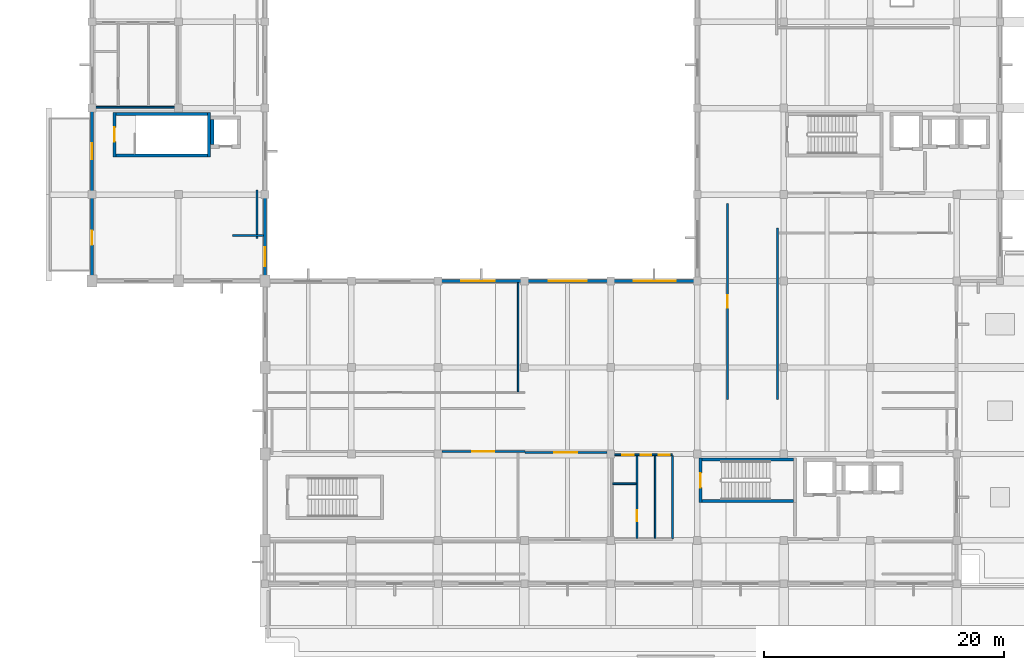
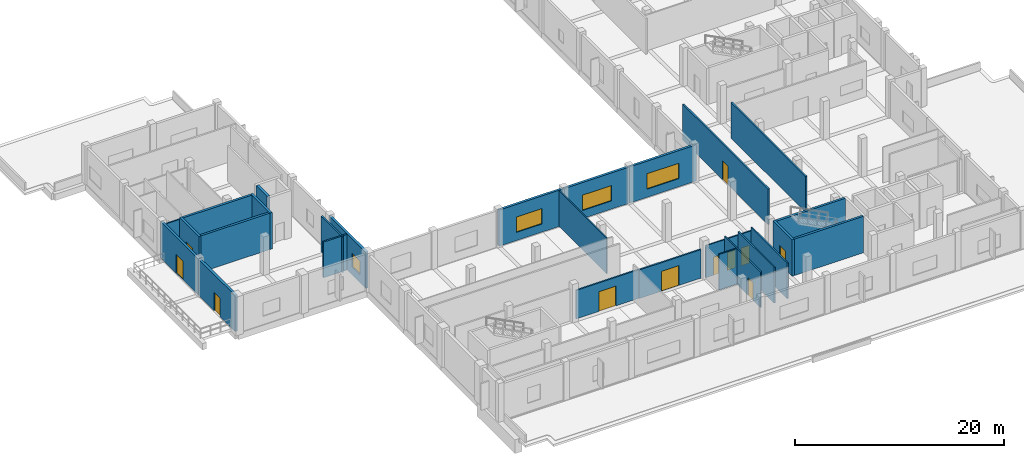
# One storey, part 5 of 16: 27 walls, 11 doors, 4 windows, 15 openings.
"""IFC4 building model written with IfcOpenShell, lengths in metres."""

from ifc_helpers import new_model, si_unit, direction, frame, frame_2d, origin, place, context, subcontext, project, spatial, rectangle, extrude, material, layer, layer_set, type_object, element, fill, save


model = new_model("IFC4")

# Units and contexts
model_context = context("Model", 3, precision=1e-05, world=origin(), true_north=direction((0.0, 1.0)))
body_context = subcontext(model_context, "Body", "Model", "MODEL_VIEW")
ifc_project = project(units=[si_unit("LENGTHUNIT", "METRE"), si_unit("AREAUNIT", "SQUARE_METRE"), si_unit("VOLUMEUNIT", "CUBIC_METRE"), si_unit("PLANEANGLEUNIT", "RADIAN"), si_unit("MASSUNIT", "GRAM", prefix="KILO")], contexts=[model_context])

# Site, building, storey
site_placement = place(None, origin())
site = spatial("IfcSite", under=ifc_project, at=site_placement, CompositionType="ELEMENT")
building_placement = place(site_placement, origin())
building = spatial("IfcBuilding", under=site, at=building_placement, Name="Seraya Terrace Polytechnic", CompositionType="ELEMENT")
storey_placement = place(building_placement, frame((0.0, 0.0, 23.39990234375)))
storey = spatial("IfcBuildingStorey", under=building, at=storey_placement, Name="L05", CompositionType="ELEMENT", Elevation=23.39990234375)

# Wall, opening, window
ifc_material_1 = material(Name="Precast concrete C40/50", Category="concrete")
ifc_layer_1 = layer(ifc_material_1, 0.260009765625, Name="EW-03")
ifc_layer_set_1 = layer_set([ifc_layer_1], Name="Precast concrete C40/50")
wall_type_1 = type_object("IfcWallType", Name="EW-03", PredefinedType="SOLIDWALL", material=ifc_layer_set_1)
wall_1_placement = place(storey_placement, frame((57.60009765625, 28.800048828125, 0.0), z_axis=(0.0, 0.0, 1.0), x_axis=(1.0, 0.0, 0.0)))
wall_1 = element("IfcWall", 1, at=wall_1_placement, inside=storey, type_object=wall_type_1, Name="Exterior structural wall EW-03 L05", PredefinedType="SOLIDWALL", context=body_context, shape_type="SweptSolid", body=[
    extrude(rectangle(XDim=7.199951171875, YDim=0.260009765625, at=frame_2d((3.60009765625, 0.0))), origin(), (0.0, 0.0, 1.0), 4.22021484375),
])
opening_1_placement = place(wall_1_placement, frame((1.94677734375, 0.0, 0.949951171875)))
opening_1 = element("IfcOpeningElement", 2, at=opening_1_placement, cuts=wall_1, Name="Opening WN-33", PredefinedType="OPENING", context=body_context, shape_type="SweptSolid", body=[
    extrude(rectangle(XDim=2.800048828125, YDim=1.800048828125, at=frame_2d((1.39990234375, 0.89990234375))), frame((0.0, 0.14208984375, 0.0), z_axis=(0.0, -1.0, 0.0), x_axis=(1.0, 0.0, 0.0)), (0.0, 0.0, 1.0), 0.283935546875),
])
ifc_material_2 = material(Name="Laminated solar-control Low-E double glazing", Category="glass")
window_type_1 = type_object("IfcWindowType", Name="WN-33", PartitioningType="SINGLE_PANEL", PredefinedType="WINDOW", material=ifc_material_2)
window_1_placement = place(opening_1_placement, origin())
window_1 = element("IfcWindow", 3, at=window_1_placement, inside=storey, type_object=window_type_1, Name="Exterior window WN-33 L05", OverallHeight=1.800048828125, OverallWidth=2.800048828125, PartitioningType="SINGLE_PANEL", PredefinedType="WINDOW", context=body_context, shape_type="SweptSolid", body=[
    extrude(rectangle(XDim=2.800048828125, YDim=1.800048828125, at=frame_2d((1.39990234375, 0.89990234375))), frame((0.0, 0.030029296875, 0.0), z_axis=(0.0, -1.0, 0.0), x_axis=(1.0, 0.0, 0.0)), (0.0, 0.0, 1.0), 0.06005859375),
])
fill(opening_1, window_1)

wall_2_placement = place(storey_placement, frame((64.800048828125, 28.800048828125, 0.0), z_axis=(0.0, 0.0, 1.0), x_axis=(1.0, 0.0, 0.0)))
wall_2 = element("IfcWall", 4, at=wall_2_placement, inside=storey, type_object=wall_type_1, Name="Exterior structural wall EW-03 L05", PredefinedType="SOLIDWALL", context=body_context, shape_type="SweptSolid", body=[
    extrude(rectangle(XDim=7.199951171875, YDim=0.260009765625, at=frame_2d((3.60009765625, 0.0))), origin(), (0.0, 0.0, 1.0), 4.22021484375),
])
opening_2_placement = place(wall_2_placement, frame((2.02490234375, 0.0, 0.949951171875)))
opening_2 = element("IfcOpeningElement", 5, at=opening_2_placement, cuts=wall_2, Name="Opening WN-34", PredefinedType="OPENING", context=body_context, shape_type="SweptSolid", body=[
    extrude(rectangle(XDim=3.14990234375, YDim=1.800048828125, at=frame_2d((1.574951171875, 0.89990234375))), frame((0.0, 0.14208984375, 0.0), z_axis=(0.0, -1.0, 0.0), x_axis=(1.0, 0.0, 0.0)), (0.0, 0.0, 1.0), 0.283935546875),
])
window_type_2 = type_object("IfcWindowType", Name="WN-34", PartitioningType="SINGLE_PANEL", PredefinedType="WINDOW", material=ifc_material_2)
window_2_placement = place(opening_2_placement, origin())
window_2 = element("IfcWindow", 6, at=window_2_placement, inside=storey, type_object=window_type_2, Name="Exterior window WN-34 L05", OverallHeight=1.800048828125, OverallWidth=3.14990234375, PartitioningType="SINGLE_PANEL", PredefinedType="WINDOW", context=body_context, shape_type="SweptSolid", body=[
    extrude(rectangle(XDim=3.14990234375, YDim=1.800048828125, at=frame_2d((1.574951171875, 0.89990234375))), frame((0.0, 0.030029296875, 0.0), z_axis=(0.0, -1.0, 0.0), x_axis=(1.0, 0.0, 0.0)), (0.0, 0.0, 1.0), 0.06005859375),
])
fill(opening_2, window_2)

wall_3_placement = place(storey_placement, frame((72.0, 28.800048828125, 0.0), z_axis=(0.0, 0.0, 1.0), x_axis=(1.0, 0.0, 0.0)))
wall_3 = element("IfcWall", 7, at=wall_3_placement, inside=storey, type_object=wall_type_1, Name="Exterior structural wall EW-03 L05", PredefinedType="SOLIDWALL", context=body_context, shape_type="SweptSolid", body=[
    extrude(rectangle(XDim=7.35009765625, YDim=0.260009765625, at=frame_2d((3.675048828125, 0.0))), origin(), (0.0, 0.0, 1.0), 4.22021484375),
])
opening_3_placement = place(wall_3_placement, frame((1.925048828125, 0.0, 0.949951171875)))
opening_3 = element("IfcOpeningElement", 8, at=opening_3_placement, cuts=wall_3, Name="Opening WN-35", PredefinedType="OPENING", context=body_context, shape_type="SweptSolid", body=[
    extrude(rectangle(XDim=3.5, YDim=1.800048828125, at=frame_2d((1.75, 0.89990234375))), frame((0.0, 0.14208984375, 0.0), z_axis=(0.0, -1.0, 0.0), x_axis=(1.0, 0.0, 0.0)), (0.0, 0.0, 1.0), 0.283935546875),
])
window_type_3 = type_object("IfcWindowType", Name="WN-35", PartitioningType="SINGLE_PANEL", PredefinedType="WINDOW", material=ifc_material_2)
window_3_placement = place(opening_3_placement, origin())
window_3 = element("IfcWindow", 9, at=window_3_placement, inside=storey, type_object=window_type_3, Name="Exterior window WN-35 L05", OverallHeight=1.800048828125, OverallWidth=3.5, PartitioningType="SINGLE_PANEL", PredefinedType="WINDOW", context=body_context, shape_type="SweptSolid", body=[
    extrude(rectangle(XDim=3.5, YDim=1.800048828125, at=frame_2d((1.75, 0.89990234375))), frame((0.0, 0.030029296875, 0.0), z_axis=(0.0, -1.0, 0.0), x_axis=(1.0, 0.0, 0.0)), (0.0, 0.0, 1.0), 0.06005859375),
])
fill(opening_3, window_3)

wall_4_placement = place(storey_placement, frame((43.199951171875, 36.0, 0.0), z_axis=(0.0, 0.0, 1.0), x_axis=(0.0, -1.0, 0.0)))
wall_4 = element("IfcWall", 10, at=wall_4_placement, inside=storey, type_object=wall_type_1, Name="Exterior structural wall EW-03 L05", PredefinedType="SOLIDWALL", context=body_context, shape_type="SweptSolid", body=[
    extrude(rectangle(XDim=7.033935546875, YDim=0.260009765625, at=frame_2d((3.51708984375, 0.0))), origin(), (0.0, 0.0, 1.0), 4.22021484375),
])
opening_4_placement = place(wall_4_placement, frame((4.402099609375, 0.0, 0.949951171875)))
opening_4 = element("IfcOpeningElement", 11, at=opening_4_placement, cuts=wall_4, Name="Opening WN-16", PredefinedType="OPENING", context=body_context, shape_type="SweptSolid", body=[
    extrude(rectangle(XDim=1.550048828125, YDim=1.550048828125, at=frame_2d((0.77490234375, 0.77490234375))), frame((0.0, 0.14208984375, 0.0), z_axis=(0.0, -1.0, 0.0), x_axis=(1.0, 0.0, 0.0)), (0.0, 0.0, 1.0), 0.283935546875),
])
window_type_4 = type_object("IfcWindowType", Name="WN-16", PartitioningType="SINGLE_PANEL", PredefinedType="WINDOW", material=ifc_material_2)
window_4_placement = place(opening_4_placement, origin())
window_4 = element("IfcWindow", 12, at=window_4_placement, inside=storey, type_object=window_type_4, Name="Exterior window WN-16 L05", OverallHeight=1.550048828125, OverallWidth=1.550048828125, PartitioningType="SINGLE_PANEL", PredefinedType="WINDOW", context=body_context, shape_type="SweptSolid", body=[
    extrude(rectangle(XDim=1.550048828125, YDim=1.550048828125, at=frame_2d((0.77490234375, 0.77490234375))), frame((0.0, 0.030029296875, 0.0), z_axis=(0.0, -1.0, 0.0), x_axis=(1.0, 0.0, 0.0)), (0.0, 0.0, 1.0), 0.06005859375),
])
fill(opening_4, window_4)

# Wall, opening, door
wall_5_placement = place(storey_placement, frame((28.800048828125, 28.966064453125, 0.0), z_axis=(0.0, 0.0, 1.0), x_axis=(0.0, 1.0, 0.0)))
wall_5 = element("IfcWall", 13, at=wall_5_placement, inside=storey, type_object=wall_type_1, Name="Exterior structural wall EW-03 L05", PredefinedType="SOLIDWALL", context=body_context, shape_type="SweptSolid", body=[
    extrude(rectangle(XDim=7.033935546875, YDim=0.260009765625, at=frame_2d((3.51708984375, 0.0))), origin(), (0.0, 0.0, 1.0), 4.22021484375),
])
opening_5_placement = place(wall_5_placement, frame((2.843994140625, 0.0, 0.0)))
opening_5 = element("IfcOpeningElement", 14, at=opening_5_placement, cuts=wall_5, Name="Opening TD-02", PredefinedType="OPENING", context=body_context, shape_type="SweptSolid", body=[
    extrude(rectangle(XDim=1.179931640625, YDim=2.179931640625, at=frame_2d((0.58984375, 1.08984375))), frame((0.0, 0.14208984375, 0.0), z_axis=(0.0, -1.0, 0.0), x_axis=(1.0, 0.0, 0.0)), (0.0, 0.0, 1.0), 0.283935546875),
])
ifc_material_3 = material(Name="Anodised aluminium EN AW-6063 T6", Category="aluminium")
door_type_1 = type_object("IfcDoorType", Name="TD-02", OperationType="NOTDEFINED", PredefinedType="DOOR", material=ifc_material_3)
door_1_placement = place(opening_5_placement, origin())
door_1 = element("IfcDoor", 15, at=door_1_placement, inside=storey, type_object=door_type_1, Name="Door TD-02 DR-TERR-L05-11-00 in WL-EXT-L05-11-00", OperationType="SINGLE_SWING_LEFT", OverallHeight=2.179931640625, OverallWidth=1.179931640625, PredefinedType="DOOR", context=body_context, shape_type="SweptSolid", body=[
    extrude(rectangle(XDim=1.179931640625, YDim=2.179931640625, at=frame_2d((0.58984375, 1.08984375))), frame((0.0, 0.02490234375, 0.0), z_axis=(0.0, -1.0, 0.0), x_axis=(1.0, 0.0, 0.0)), (0.0, 0.0, 1.0), 0.050048828125),
])
fill(opening_5, door_1)

wall_6_placement = place(storey_placement, frame((28.800048828125, 36.0, 0.0), z_axis=(0.0, 0.0, 1.0), x_axis=(0.0, 1.0, 0.0)))
wall_6 = element("IfcWall", 16, at=wall_6_placement, inside=storey, type_object=wall_type_1, Name="Exterior structural wall EW-03 L05", PredefinedType="SOLIDWALL", context=body_context, shape_type="SweptSolid", body=[
    extrude(rectangle(XDim=7.199951171875, YDim=0.260009765625, at=frame_2d((3.60009765625, 0.0))), origin(), (0.0, 0.0, 1.0), 4.22021484375),
])
opening_6_placement = place(wall_6_placement, frame((2.93994140625, 0.0, 0.0)))
opening_6 = element("IfcOpeningElement", 17, at=opening_6_placement, cuts=wall_6, Name="Opening TD-03", PredefinedType="OPENING", context=body_context, shape_type="SweptSolid", body=[
    extrude(rectangle(XDim=1.320068359375, YDim=2.199951171875, at=frame_2d((0.66015625, 1.10009765625))), frame((0.0, 0.14208984375, 0.0), z_axis=(0.0, -1.0, 0.0), x_axis=(1.0, 0.0, 0.0)), (0.0, 0.0, 1.0), 0.283935546875),
])
door_type_2 = type_object("IfcDoorType", Name="TD-03", OperationType="NOTDEFINED", PredefinedType="DOOR", material=ifc_material_3)
door_2_placement = place(opening_6_placement, origin())
door_2 = element("IfcDoor", 18, at=door_2_placement, inside=storey, type_object=door_type_2, Name="Door TD-03 DR-TERR-L05-11-01 in WL-EXT-L05-11-01", OperationType="SINGLE_SWING_RIGHT", OverallHeight=2.199951171875, OverallWidth=1.320068359375, PredefinedType="DOOR", context=body_context, shape_type="SweptSolid", body=[
    extrude(rectangle(XDim=1.320068359375, YDim=2.199951171875, at=frame_2d((0.66015625, 1.10009765625))), frame((0.0, 0.02490234375, 0.0), z_axis=(0.0, -1.0, 0.0), x_axis=(1.0, 0.0, 0.0)), (0.0, 0.0, 1.0), 0.050048828125),
])
fill(opening_6, door_2)

ifc_material_4 = material(Name="Autoclaved aerated concrete blockwork", Category="masonry")
ifc_layer_2 = layer(ifc_material_4, 0.169921875, Name="PT-02")
ifc_layer_set_2 = layer_set([ifc_layer_2], Name="Autoclaved aerated concrete blockwork")
wall_type_2 = type_object("IfcWallType", Name="PT-02", PredefinedType="PARTITIONING", material=ifc_layer_set_2)
wall_7_placement = place(storey_placement, frame((57.93505859375, 14.60009765625, 0.0), z_axis=(0.0, 0.0, 1.0), x_axis=(1.0, 0.0, 0.0)))
wall_7 = element("IfcWall", 19, at=wall_7_placement, inside=storey, type_object=wall_type_2, Name="Internal partition PT-02 L05", PredefinedType="PARTITIONING", context=body_context, shape_type="SweptSolid", body=[
    extrude(rectangle(XDim=6.90966796875, YDim=0.169921875, at=frame_2d((3.454833984375, 0.0))), origin(), (0.0, 0.0, 1.0), 3.330078125),
])
opening_7_placement = place(wall_7_placement, frame((2.534912109375, 0.0, 0.0)))
opening_7 = element("IfcOpeningElement", 20, at=opening_7_placement, cuts=wall_7, Name="Opening ID-15", PredefinedType="OPENING", context=body_context, shape_type="SweptSolid", body=[
    extrude(rectangle(XDim=1.840087890625, YDim=2.300048828125, at=frame_2d((0.919921875, 1.14990234375))), frame((0.0, 0.096923828125, 0.0), z_axis=(0.0, -1.0, 0.0), x_axis=(1.0, 0.0, 0.0)), (0.0, 0.0, 1.0), 0.19384765625),
])
ifc_material_5 = material(Name="Malaysian dark red meranti hardwood timber D40", Category="wood")
door_type_3 = type_object("IfcDoorType", Name="ID-15", OperationType="DOUBLE_DOOR_SINGLE_SWING", PredefinedType="DOOR", material=ifc_material_5)
door_3_placement = place(opening_7_placement, origin())
door_3 = element("IfcDoor", 21, at=door_3_placement, inside=storey, type_object=door_type_3, Name="Door ID-15 DR-INT-L05-0252 in WL-INT-L05-0709", OperationType="DOUBLE_DOOR_SINGLE_SWING", OverallHeight=2.300048828125, OverallWidth=1.840087890625, PredefinedType="DOOR", context=body_context, shape_type="SweptSolid", body=[
    extrude(rectangle(XDim=1.840087890625, YDim=2.300048828125, at=frame_2d((0.919921875, 1.14990234375))), frame((0.0, 0.02490234375, 0.0), z_axis=(0.0, -1.0, 0.0), x_axis=(1.0, 0.0, 0.0)), (0.0, 0.0, 1.0), 0.050048828125),
])
fill(opening_7, door_3)

wall_8_placement = place(storey_placement, frame((64.8447265625, 14.530029296875, 0.0), z_axis=(0.0, 0.0, 1.0), x_axis=(1.0, 0.0, 0.0)))
wall_8 = element("IfcWall", 22, at=wall_8_placement, inside=storey, type_object=wall_type_2, Name="Internal partition PT-02 L05", PredefinedType="PARTITIONING", context=body_context, shape_type="SweptSolid", body=[
    extrude(rectangle(XDim=6.8203125, YDim=0.169921875, at=frame_2d((3.41015625, 0.0))), origin(), (0.0, 0.0, 1.0), 3.330078125),
])
opening_8_placement = place(wall_8_placement, frame((2.4501953125, 0.0, 0.0)))
opening_8 = element("IfcOpeningElement", 23, at=opening_8_placement, cuts=wall_8, Name="Opening ID-16", PredefinedType="OPENING", context=body_context, shape_type="SweptSolid", body=[
    extrude(rectangle(XDim=1.919921875, YDim=2.320068359375, at=frame_2d((0.9599609375, 1.16015625))), frame((0.0, 0.096923828125, 0.0), z_axis=(0.0, -1.0, 0.0), x_axis=(1.0, 0.0, 0.0)), (0.0, 0.0, 1.0), 0.19384765625),
])
door_type_4 = type_object("IfcDoorType", Name="ID-16", OperationType="DOUBLE_DOOR_SINGLE_SWING", PredefinedType="DOOR", material=ifc_material_5)
door_4_placement = place(opening_8_placement, frame((1.919921875, 0.0, 0.0), z_axis=(0.0, 0.0, 1.0), x_axis=(-1.0, 0.0, 0.0)))
door_4 = element("IfcDoor", 24, at=door_4_placement, inside=storey, type_object=door_type_4, Name="Door ID-16 DR-INT-L05-0253 in WL-INT-L05-0713", OperationType="DOUBLE_DOOR_SINGLE_SWING", OverallHeight=2.320068359375, OverallWidth=1.919921875, PredefinedType="DOOR", context=body_context, shape_type="SweptSolid", body=[
    extrude(rectangle(XDim=1.919921875, YDim=2.320068359375, at=frame_2d((0.9599609375, 1.16015625))), frame((0.0, 0.02490234375, 0.0), z_axis=(0.0, -1.0, 0.0), x_axis=(1.0, 0.0, 0.0)), (0.0, 0.0, 1.0), 0.050048828125),
])
fill(opening_8, door_4)

wall_9_placement = place(storey_placement, frame((81.72998046875, 18.949951171875, 0.0), z_axis=(0.0, 0.0, 1.0), x_axis=(0.0, 1.0, 0.0)))
wall_9 = element("IfcWall", 25, at=wall_9_placement, inside=storey, type_object=wall_type_2, Name="Internal partition PT-02 L05", PredefinedType="PARTITIONING", context=body_context, shape_type="SweptSolid", body=[
    extrude(rectangle(XDim=16.31005859375, YDim=0.169921875, at=frame_2d((8.155029296875, 0.0))), origin(), (0.0, 0.0, 1.0), 4.16015625),
])
opening_9_placement = place(wall_9_placement, frame((7.635009765625, 0.0, 0.0)))
opening_9 = element("IfcOpeningElement", 26, at=opening_9_placement, cuts=wall_9, Name="Opening ID-04", PredefinedType="OPENING", context=body_context, shape_type="SweptSolid", body=[
    extrude(rectangle(XDim=1.0400390625, YDim=2.179931640625, at=frame_2d((0.52001953125, 1.08984375))), frame((0.0, 0.096923828125, 0.0), z_axis=(0.0, -1.0, 0.0), x_axis=(1.0, 0.0, 0.0)), (0.0, 0.0, 1.0), 0.19384765625),
])
door_type_5 = type_object("IfcDoorType", Name="ID-04", OperationType="NOTDEFINED", PredefinedType="DOOR", material=ifc_material_5)
door_5_placement = place(opening_9_placement, frame((1.0400390625, 0.0, 0.0), z_axis=(0.0, 0.0, 1.0), x_axis=(-1.0, 0.0, 0.0)))
door_5 = element("IfcDoor", 27, at=door_5_placement, inside=storey, type_object=door_type_5, Name="Door ID-04 DR-INT-L05-0257 in WL-INT-L05-0725", OperationType="SINGLE_SWING_RIGHT", OverallHeight=2.179931640625, OverallWidth=1.0400390625, PredefinedType="DOOR", context=body_context, shape_type="SweptSolid", body=[
    extrude(rectangle(XDim=1.0400390625, YDim=2.179931640625, at=frame_2d((0.52001953125, 1.08984375))), frame((0.0, 0.02490234375, 0.0), z_axis=(0.0, -1.0, 0.0), x_axis=(1.0, 0.0, 0.0)), (0.0, 0.0, 1.0), 0.050048828125),
])
fill(opening_9, door_5)

# Walls
wall_10_placement = place(storey_placement, frame((85.8701171875, 18.949951171875, 0.0), z_axis=(0.0, 0.0, 1.0), x_axis=(0.0, 1.0, 0.0)))
element("IfcWall", 28, at=wall_10_placement, inside=storey, type_object=wall_type_2, Name="Internal partition PT-02 L05", PredefinedType="PARTITIONING", context=body_context, shape_type="SweptSolid", body=[
    extrude(rectangle(XDim=14.27001953125, YDim=0.169921875, at=frame_2d((7.135009765625, 0.0))), origin(), (0.0, 0.0, 1.0), 4.16015625),
])
wall_11_placement = place(storey_placement, frame((42.52001953125, 32.360107421875, 0.0), z_axis=(0.0, 0.0, 1.0), x_axis=(0.0, 1.0, 0.0)))
element("IfcWall", 29, at=wall_11_placement, inside=storey, type_object=wall_type_2, Name="Internal partition PT-02 L05", PredefinedType="PARTITIONING", context=body_context, shape_type="SweptSolid", body=[
    extrude(rectangle(XDim=4.04150390625, YDim=0.169921875, at=frame_2d((2.020751953125, 0.0))), origin(), (0.0, 0.0, 1.0), 4.16015625),
])
wall_12_placement = place(storey_placement, frame((40.47998046875, 32.60009765625, 0.0), z_axis=(0.0, 0.0, 1.0), x_axis=(1.0, 0.0, 0.0)))
element("IfcWall", 30, at=wall_12_placement, inside=storey, type_object=wall_type_2, Name="Internal partition PT-02 L05", PredefinedType="PARTITIONING", context=body_context, shape_type="SweptSolid", body=[
    extrude(rectangle(XDim=2.578125, YDim=0.169921875, at=frame_2d((1.2890625, 0.0))), origin(), (0.0, 0.0, 1.0), 4.16015625),
])

# Wall, openings, doors
ifc_layer_3 = layer(ifc_material_4, 0.139892578125, Name="PT-04")
ifc_layer_set_3 = layer_set([ifc_layer_3], Name="Autoclaved aerated concrete blockwork")
wall_type_3 = type_object("IfcWallType", Name="PT-04", PredefinedType="PARTITIONING", material=ifc_layer_set_3)
wall_13_placement = place(storey_placement, frame((72.070068359375, 14.330078125, 0.0), z_axis=(0.0, 0.0, 1.0), x_axis=(1.0, 0.0, 0.0)))
wall_13 = element("IfcWall", 31, at=wall_13_placement, inside=storey, type_object=wall_type_3, Name="Sanitary WC-A North wall L05", PredefinedType="PARTITIONING", context=body_context, shape_type="SweptSolid", body=[
    extrude(rectangle(XDim=5.059814453125, YDim=0.139892578125, at=frame_2d((2.52978515625, 0.0))), origin(), (0.0, 0.0, 1.0), 3.72998046875),
])
opening_10_placement = place(wall_13_placement, frame((0.8798828125, 0.0, 0.0)))
opening_10 = element("IfcOpeningElement", 32, at=opening_10_placement, cuts=wall_13, Name="Opening ID-01", PredefinedType="OPENING", context=body_context, shape_type="SweptSolid", body=[
    extrude(rectangle(XDim=0.93994140625, YDim=2.10009765625, at=frame_2d((0.469970703125, 1.050048828125))), frame((0.0, 0.08203125, 0.0), z_axis=(0.0, -1.0, 0.0), x_axis=(1.0, 0.0, 0.0)), (0.0, 0.0, 1.0), 0.163818359375),
])
opening_11_placement = place(wall_13_placement, frame((2.4150390625, 0.0, 0.0)))
opening_11 = element("IfcOpeningElement", 33, at=opening_11_placement, cuts=wall_13, Name="Opening ID-02", PredefinedType="OPENING", context=body_context, shape_type="SweptSolid", body=[
    extrude(rectangle(XDim=0.89990234375, YDim=2.080078125, at=frame_2d((0.449951171875, 1.0400390625))), frame((0.0, 0.08203125, 0.0), z_axis=(0.0, -1.0, 0.0), x_axis=(1.0, 0.0, 0.0)), (0.0, 0.0, 1.0), 0.163818359375),
])
opening_12_placement = place(wall_13_placement, frame((3.925048828125, 0.0, 0.0)))
opening_12 = element("IfcOpeningElement", 34, at=opening_12_placement, cuts=wall_13, Name="Opening ID-02", PredefinedType="OPENING", context=body_context, shape_type="SweptSolid", body=[
    extrude(rectangle(XDim=0.89990234375, YDim=2.080078125, at=frame_2d((0.449951171875, 1.0400390625))), frame((0.0, 0.08203125, 0.0), z_axis=(0.0, -1.0, 0.0), x_axis=(1.0, 0.0, 0.0)), (0.0, 0.0, 1.0), 0.163818359375),
])
door_type_6 = type_object("IfcDoorType", Name="ID-01", OperationType="NOTDEFINED", PredefinedType="DOOR", material=ifc_material_5)
door_6_placement = place(opening_10_placement, origin())
door_6 = element("IfcDoor", 35, at=door_6_placement, inside=storey, type_object=door_type_6, Name="Door ID-01 DR-WC-WC-A-L05-OKU in WL-WC-WC-A-L05-N", OperationType="SINGLE_SWING_LEFT", OverallHeight=2.10009765625, OverallWidth=0.93994140625, PredefinedType="DOOR", context=body_context, shape_type="SweptSolid", body=[
    extrude(rectangle(XDim=0.93994140625, YDim=2.10009765625, at=frame_2d((0.469970703125, 1.050048828125))), frame((0.0, 0.02490234375, 0.0), z_axis=(0.0, -1.0, 0.0), x_axis=(1.0, 0.0, 0.0)), (0.0, 0.0, 1.0), 0.050048828125),
])
fill(opening_10, door_6)
door_type_7 = type_object("IfcDoorType", Name="ID-02", OperationType="NOTDEFINED", PredefinedType="DOOR", material=ifc_material_5)
door_7_placement = place(opening_11_placement, frame((0.89990234375, 0.0, 0.0), z_axis=(0.0, 0.0, 1.0), x_axis=(-1.0, 0.0, 0.0)))
door_7 = element("IfcDoor", 36, at=door_7_placement, inside=storey, type_object=door_type_7, Name="Door ID-02 DR-WC-WC-A-L05-M in WL-WC-WC-A-L05-N", OperationType="SINGLE_SWING_RIGHT", OverallHeight=2.080078125, OverallWidth=0.89990234375, PredefinedType="DOOR", context=body_context, shape_type="SweptSolid", body=[
    extrude(rectangle(XDim=0.89990234375, YDim=2.080078125, at=frame_2d((0.449951171875, 1.0400390625))), frame((0.0, 0.02490234375, 0.0), z_axis=(0.0, -1.0, 0.0), x_axis=(1.0, 0.0, 0.0)), (0.0, 0.0, 1.0), 0.050048828125),
])
fill(opening_11, door_7)
door_8_placement = place(opening_12_placement, frame((0.89990234375, 0.0, 0.0), z_axis=(0.0, 0.0, 1.0), x_axis=(-1.0, 0.0, 0.0)))
door_8 = element("IfcDoor", 37, at=door_8_placement, inside=storey, type_object=door_type_7, Name="Door ID-02 DR-WC-WC-A-L05-F in WL-WC-WC-A-L05-N", OperationType="SINGLE_SWING_LEFT", OverallHeight=2.080078125, OverallWidth=0.89990234375, PredefinedType="DOOR", context=body_context, shape_type="SweptSolid", body=[
    extrude(rectangle(XDim=0.89990234375, YDim=2.080078125, at=frame_2d((0.449951171875, 1.0400390625))), frame((0.0, 0.02490234375, 0.0), z_axis=(0.0, -1.0, 0.0), x_axis=(1.0, 0.0, 0.0)), (0.0, 0.0, 1.0), 0.050048828125),
])
fill(opening_12, door_8)

# Wall
wall_14_placement = place(storey_placement, frame((77.1298828125, 7.35009765625, 0.0), z_axis=(0.0, 0.0, 1.0), x_axis=(0.0, 1.0, 0.0)))
element("IfcWall", 38, at=wall_14_placement, inside=storey, type_object=wall_type_3, Name="Sanitary WC-A East wall L05", PredefinedType="PARTITIONING", context=body_context, shape_type="SweptSolid", body=[
    extrude(rectangle(XDim=6.89990234375, YDim=0.139892578125, at=frame_2d((3.449951171875, 0.0))), origin(), (0.0, 0.0, 1.0), 4.16015625),
])

# Wall, opening, door
wall_15_placement = place(storey_placement, frame((74.179931640625, 7.35009765625, 0.0), z_axis=(0.0, 0.0, 1.0), x_axis=(0.0, 1.0, 0.0)))
wall_15 = element("IfcWall", 39, at=wall_15_placement, inside=storey, type_object=wall_type_3, Name="Sanitary WC-A OKU/Male divider L05", PredefinedType="PARTITIONING", context=body_context, shape_type="SweptSolid", body=[
    extrude(rectangle(XDim=6.89990234375, YDim=0.139892578125, at=frame_2d((3.449951171875, 0.0))), origin(), (0.0, 0.0, 1.0), 4.16015625),
])
opening_13_placement = place(wall_15_placement, frame((1.449951171875, 0.0, 0.0)))
opening_13 = element("IfcOpeningElement", 40, at=opening_13_placement, cuts=wall_15, Name="Opening ID-02", PredefinedType="OPENING", context=body_context, shape_type="SweptSolid", body=[
    extrude(rectangle(XDim=0.89990234375, YDim=2.080078125, at=frame_2d((0.449951171875, 1.0400390625))), frame((0.0, 0.08203125, 0.0), z_axis=(0.0, -1.0, 0.0), x_axis=(1.0, 0.0, 0.0)), (0.0, 0.0, 1.0), 0.163818359375),
])
door_9_placement = place(opening_13_placement, origin())
door_9 = element("IfcDoor", 41, at=door_9_placement, inside=storey, type_object=door_type_7, Name="Door ID-02 DR-WC-WC-A-L05-CLN in WL-WC-WC-A-L05-D1", OperationType="SINGLE_SWING_RIGHT", OverallHeight=2.080078125, OverallWidth=0.89990234375, PredefinedType="DOOR", context=body_context, shape_type="SweptSolid", body=[
    extrude(rectangle(XDim=0.89990234375, YDim=2.080078125, at=frame_2d((0.449951171875, 1.0400390625))), frame((0.0, 0.02490234375, 0.0), z_axis=(0.0, -1.0, 0.0), x_axis=(1.0, 0.0, 0.0)), (0.0, 0.0, 1.0), 0.050048828125),
])
fill(opening_13, door_9)

# Walls
wall_16_placement = place(storey_placement, frame((75.68994140625, 7.35009765625, 0.0), z_axis=(0.0, 0.0, 1.0), x_axis=(0.0, 1.0, 0.0)))
element("IfcWall", 42, at=wall_16_placement, inside=storey, type_object=wall_type_3, Name="Sanitary WC-A Male/Female divider L05", PredefinedType="PARTITIONING", context=body_context, shape_type="SweptSolid", body=[
    extrude(rectangle(XDim=6.89990234375, YDim=0.139892578125, at=frame_2d((3.449951171875, 0.0))), origin(), (0.0, 0.0, 1.0), 4.16015625),
])
wall_17_placement = place(storey_placement, frame((72.14990234375, 11.919921875, 0.0), z_axis=(0.0, 0.0, 1.0), x_axis=(1.0, 0.0, 0.0)))
element("IfcWall", 43, at=wall_17_placement, inside=storey, type_object=wall_type_3, Name="Sanitary WC-A OKU/Cleaner divider L05", PredefinedType="PARTITIONING", context=body_context, shape_type="SweptSolid", body=[
    extrude(rectangle(XDim=1.9501953125, YDim=0.139892578125, at=frame_2d((0.97509765625, 0.0))), origin(), (0.0, 0.0, 1.0), 4.16015625),
])
wall_18_placement = place(storey_placement, frame((29.0, 43.27001953125, 0.0), z_axis=(0.0, 0.0, 1.0), x_axis=(1.0, 0.0, 0.0)))
element("IfcWall", 44, at=wall_18_placement, inside=storey, type_object=wall_type_3, Name="Sanitary WC-B South wall L05", PredefinedType="PARTITIONING", context=body_context, shape_type="SweptSolid", body=[
    extrude(rectangle(XDim=6.929931640625, YDim=0.139892578125, at=frame_2d((3.46484375, 0.0))), origin(), (0.0, 0.0, 1.0), 3.72998046875),
])
ifc_layer_4 = layer(ifc_material_4, 0.1201171875, Name="PT-05")
ifc_layer_set_4 = layer_set([ifc_layer_4], Name="Autoclaved aerated concrete blockwork")
wall_type_4 = type_object("IfcWallType", Name="PT-05", PredefinedType="PARTITIONING", material=ifc_layer_set_4)
wall_19_placement = place(storey_placement, frame((64.273193359375, 19.574951171875, 0.0), z_axis=(0.0, 0.0, 1.0), x_axis=(0.0, 1.0, 0.0)))
element("IfcWall", 45, at=wall_19_placement, inside=storey, type_object=wall_type_4, Name="Internal partition PT-05 L05", PredefinedType="PARTITIONING", context=body_context, shape_type="SweptSolid", body=[
    extrude(rectangle(XDim=9.0830078125, YDim=0.1201171875, at=frame_2d((4.54150390625, 0.0))), origin(), (0.0, 0.0, 1.0), 4.16015625),
])
ifc_material_6 = material(Name="Concrete C40/50", Category="concrete")
ifc_layer_5 = layer(ifc_material_6, 0.300048828125, Name="SW-01")
ifc_layer_set_5 = layer_set([ifc_layer_5], Name="Concrete C40/50")
wall_type_5 = type_object("IfcWallType", Name="SW-01", PredefinedType="SHEAR", material=ifc_layer_set_5)
wall_20_placement = place(storey_placement, frame((38.820068359375, 40.14990234375, 0.0), z_axis=(0.0, 0.0, 1.0), x_axis=(0.0, 1.0, 0.0)))
element("IfcWall", 46, at=wall_20_placement, inside=storey, type_object=wall_type_5, Name="Lift shaft PL-05 West wall L05", PredefinedType="SHEAR", context=body_context, shape_type="SweptSolid", body=[
    extrude(rectangle(XDim=2.10009765625, YDim=0.300048828125, at=frame_2d((1.050048828125, 0.0))), origin(), (0.0, 0.0, 1.0), 5.489990234375),
])

# Wall, opening, door
ifc_layer_6 = layer(ifc_material_6, 0.25, Name="SW-02")
ifc_layer_set_6 = layer_set([ifc_layer_6], Name="Concrete C40/50")
wall_type_6 = type_object("IfcWallType", Name="SW-02", PredefinedType="SHEAR", material=ifc_layer_set_6)
wall_21_placement = place(storey_placement, frame((79.47509765625, 10.35009765625, 0.0), z_axis=(0.0, 0.0, 1.0), x_axis=(0.0, 1.0, 0.0)))
wall_21 = element("IfcWall", 47, at=wall_21_placement, inside=storey, type_object=wall_type_6, Name="Stairwell ST-01 West wall L05", PredefinedType="SHEAR", context=body_context, shape_type="SweptSolid", body=[
    extrude(rectangle(XDim=3.699951171875, YDim=0.25, at=frame_2d((1.85009765625, 0.0))), origin(), (0.0, 0.0, 1.0), 4.25),
])
opening_14_placement = place(wall_21_placement, frame((1.25, 0.0, 0.0)))
opening_14 = element("IfcOpeningElement", 48, at=opening_14_placement, cuts=wall_21, Name="Opening FD-01", PredefinedType="OPENING", context=body_context, shape_type="SweptSolid", body=[
    extrude(rectangle(XDim=1.199951171875, YDim=2.14990234375, at=frame_2d((0.60009765625, 1.074951171875))), frame((0.0, 0.136962890625, 0.0), z_axis=(0.0, -1.0, 0.0), x_axis=(1.0, 0.0, 0.0)), (0.0, 0.0, 1.0), 0.27392578125),
])
ifc_material_7 = material(Name="Steel S355J2", Category="steel")
door_type_8 = type_object("IfcDoorType", Name="FD-01", OperationType="NOTDEFINED", PredefinedType="DOOR", material=ifc_material_7)
door_10_placement = place(opening_14_placement, frame((1.199951171875, 0.0, 0.0), z_axis=(0.0, 0.0, 1.0), x_axis=(-1.0, 0.0, 0.0)))
door_10 = element("IfcDoor", 49, at=door_10_placement, inside=storey, type_object=door_type_8, Name="Door FD-01 DR-STR-ST-01-L05 in WL-STR-ST-01-L05-W", OperationType="SINGLE_SWING_LEFT", OverallHeight=2.14990234375, OverallWidth=1.199951171875, PredefinedType="DOOR", context=body_context, shape_type="SweptSolid", body=[
    extrude(rectangle(XDim=1.199951171875, YDim=2.14990234375, at=frame_2d((0.60009765625, 1.074951171875))), frame((0.0, 0.02490234375, 0.0), z_axis=(0.0, -1.0, 0.0), x_axis=(1.0, 0.0, 0.0)), (0.0, 0.0, 1.0), 0.050048828125),
])
fill(opening_14, door_10)

# Walls
for number, where, z_axis, x_axis, name in (
    (50, (79.60009765625, 10.47509765625, 0.0), (0.0, 0.0, 1.0), (1.0, 0.0, 0.0), "Stairwell ST-01 South wall L05"),
    (51, (79.60009765625, 13.925048828125, 0.0), (0.0, 0.0, 1.0), (1.0, 0.0, 0.0), "Stairwell ST-01 North wall L05"),
):
    element("IfcWall", number, at=place(storey_placement, frame(where, z_axis=z_axis, x_axis=x_axis)), inside=storey, type_object=wall_type_6, Name=name, PredefinedType="SHEAR", context=body_context, shape_type="SweptSolid", body=[
        extrude(rectangle(XDim=7.599853515625, YDim=0.25, at=frame_2d((3.7998046875, 0.0))), origin(), (0.0, 0.0, 1.0), 4.25),
    ])

# Wall, opening, door
wall_22_placement = place(storey_placement, frame((30.675048828125, 39.14990234375, 0.0), z_axis=(0.0, 0.0, 1.0), x_axis=(0.0, 1.0, 0.0)))
wall_22 = element("IfcWall", 52, at=wall_22_placement, inside=storey, type_object=wall_type_6, Name="Stairwell ST-04 West wall L05", PredefinedType="SHEAR", context=body_context, shape_type="SweptSolid", body=[
    extrude(rectangle(XDim=3.7001953125, YDim=0.25, at=frame_2d((1.85009765625, 0.0))), origin(), (0.0, 0.0, 1.0), 4.25),
])
opening_15_placement = place(wall_22_placement, frame((1.25, 0.0, 0.0)))
opening_15 = element("IfcOpeningElement", 53, at=opening_15_placement, cuts=wall_22, Name="Opening FD-01", PredefinedType="OPENING", context=body_context, shape_type="SweptSolid", body=[
    extrude(rectangle(XDim=1.199951171875, YDim=2.14990234375, at=frame_2d((0.60009765625, 1.074951171875))), frame((0.0, 0.136962890625, 0.0), z_axis=(0.0, -1.0, 0.0), x_axis=(1.0, 0.0, 0.0)), (0.0, 0.0, 1.0), 0.27392578125),
])
door_11_placement = place(opening_15_placement, frame((1.199951171875, 0.0, 0.0), z_axis=(0.0, 0.0, 1.0), x_axis=(-1.0, 0.0, 0.0)))
door_11 = element("IfcDoor", 54, at=door_11_placement, inside=storey, type_object=door_type_8, Name="Door FD-01 DR-STR-ST-04-L05 in WL-STR-ST-04-L05-W", OperationType="SINGLE_SWING_LEFT", OverallHeight=2.14990234375, OverallWidth=1.199951171875, PredefinedType="DOOR", context=body_context, shape_type="SweptSolid", body=[
    extrude(rectangle(XDim=1.199951171875, YDim=2.14990234375, at=frame_2d((0.60009765625, 1.074951171875))), frame((0.0, 0.02490234375, 0.0), z_axis=(0.0, -1.0, 0.0), x_axis=(1.0, 0.0, 0.0)), (0.0, 0.0, 1.0), 0.050048828125),
])
fill(opening_15, door_11)

# Walls
wall_23_placement = place(storey_placement, frame((38.52490234375, 39.14990234375, 0.0), z_axis=(0.0, 0.0, 1.0), x_axis=(0.0, 1.0, 0.0)))
element("IfcWall", 55, at=wall_23_placement, inside=storey, type_object=wall_type_6, Name="Stairwell ST-04 East wall L05", PredefinedType="SHEAR", context=body_context, shape_type="SweptSolid", body=[
    extrude(rectangle(XDim=3.7001953125, YDim=0.25, at=frame_2d((1.85009765625, 0.0))), origin(), (0.0, 0.0, 1.0), 4.25),
])
for number, where, z_axis, x_axis, name in (
    (56, (30.800048828125, 39.27490234375, 0.0), (0.0, 0.0, 1.0), (1.0, 0.0, 0.0), "Stairwell ST-04 South wall L05"),
    (57, (30.800048828125, 42.72509765625, 0.0), (0.0, 0.0, 1.0), (1.0, 0.0, 0.0), "Stairwell ST-04 North wall L05"),
):
    element("IfcWall", number, at=place(storey_placement, frame(where, z_axis=z_axis, x_axis=x_axis)), inside=storey, type_object=wall_type_6, Name=name, PredefinedType="SHEAR", context=body_context, shape_type="SweptSolid", body=[
        extrude(rectangle(XDim=7.599853515625, YDim=0.25, at=frame_2d((3.7998046875, 0.0))), origin(), (0.0, 0.0, 1.0), 4.25),
    ])

save(model, "model.ifc")
